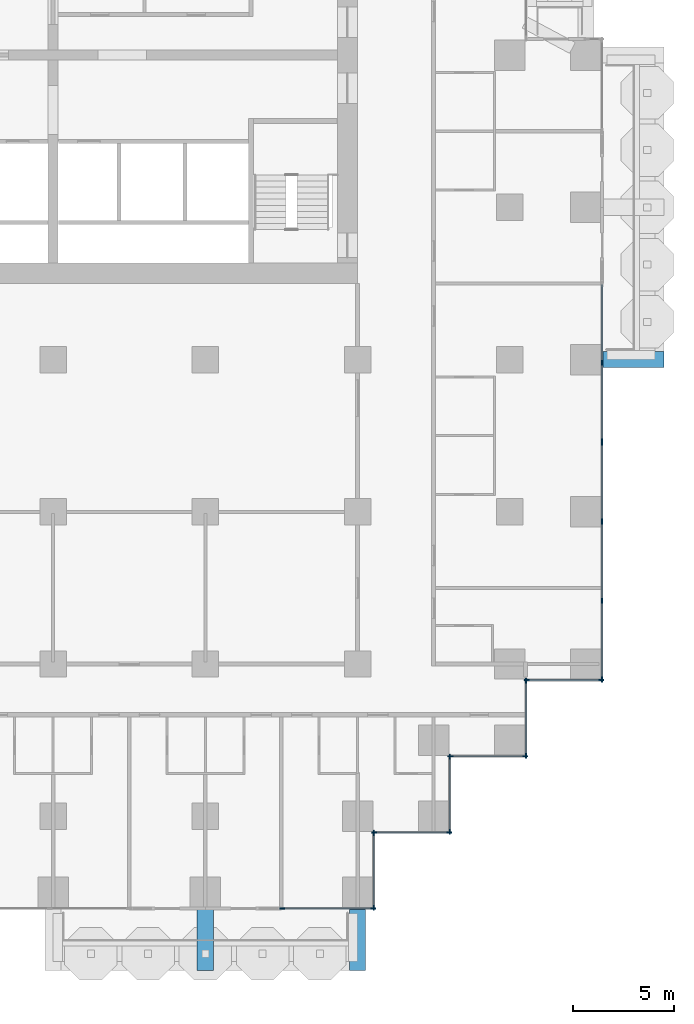
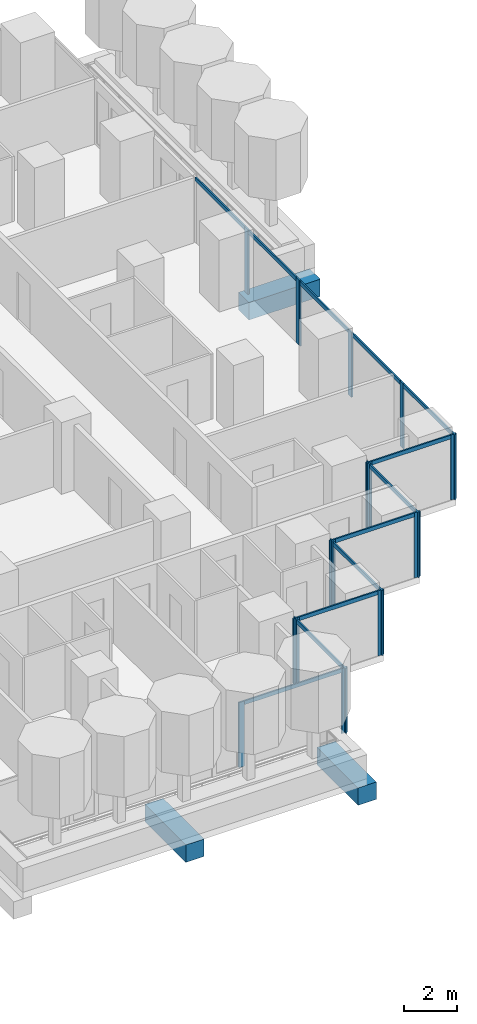
# One storey, part 4 of 19: 32 members, 3 beams, 9 elements without a shape of their own.
"""IFC4 building model written with IfcOpenShell, lengths in metres."""

import ifcopenshell
import ifcopenshell.guid

model = None  # the IFC model being written
_history = None  # IfcOwnerHistory: only IFC2X3 demands one
_inside = {}  # id of a spatial element -> (the spatial element, [elements in it])
_under = {}  # id of a project, library or spatial element -> (it, [spatial elements below it])
_declared = {}  # id of a project -> (the project, [libraries it declares])
_typed = {}  # id of a type object -> (the type object, [elements of that type])
_made_of = {}  # id of a material, layer set ... -> (it, [elements and type objects made of it])


def new_model(schema):
    """Start an empty IFC model of exactly this schema.

    Asked for "IFC4X3", IfcOpenShell would pick the latest addendum, in which some entities
    have other attributes; the version numbers below select the first issue.
    IFC2X3 requires an IfcOwnerHistory on every rooted entity: one is made here for all.
    """
    global model, _history
    if schema == "IFC4X3":
        model = ifcopenshell.file(schema_version=(4, 3, 0, 0))
    else:
        model = ifcopenshell.file(schema=schema)
    _inside.clear()
    _under.clear()
    _declared.clear()
    _typed.clear()
    _made_of.clear()
    _history = None
    if model.schema == "IFC2X3":
        org = make("IfcOrganization", Name="unknown")
        user = make(
            "IfcPersonAndOrganization",
            ThePerson=make("IfcPerson", FamilyName="unknown"),
            TheOrganization=org,
        )
        app = make(
            "IfcApplication",
            ApplicationDeveloper=org,
            Version="unknown",
            ApplicationFullName="unknown",
            ApplicationIdentifier="unknown",
        )
        _history = make(
            "IfcOwnerHistory",
            OwningUser=user,
            OwningApplication=app,
            ChangeAction="ADDED",
            CreationDate=0,
        )
    return model


def make(cls, **values):
    """One entity of the class cls with the attributes given. An attribute that is None is left unset."""
    return model.create_entity(
        cls, **{name: value for name, value in values.items() if value is not None}
    )


def rooted(cls, **values):
    """An entity with a GlobalId (a new one), such as an element, a storey or a relation."""
    return make(cls, GlobalId=ifcopenshell.guid.new(), OwnerHistory=_history, **values)


def si_unit(unit_type, name, prefix=None):
    """IfcSIUnit, for example si_unit("LENGTHUNIT", "METRE", prefix="MILLI")."""
    return make("IfcSIUnit", UnitType=unit_type, Prefix=prefix, Name=name)


def assignment(units):
    """IfcUnitAssignment: the units of a project."""
    return None if units is None else make("IfcUnitAssignment", Units=units)


def point(xyz):
    """IfcCartesianPoint."""
    return None if xyz is None else make("IfcCartesianPoint", Coordinates=xyz)


def direction(xyz):
    """IfcDirection."""
    return None if xyz is None else make("IfcDirection", DirectionRatios=xyz)


def frame(location, z_axis=None, x_axis=None):
    """IfcAxis2Placement3D, a coordinate frame: its origin and axes. An axis left out is left unset."""
    return make(
        "IfcAxis2Placement3D",
        Location=point(location),
        Axis=direction(z_axis),
        RefDirection=direction(x_axis),
    )


def frame_2d(location, x_axis=None):
    """IfcAxis2Placement2D, a coordinate frame in the plane: its origin and x axis."""
    return make(
        "IfcAxis2Placement2D", Location=point(location), RefDirection=direction(x_axis)
    )


def origin():
    """The frame at (0, 0, 0) with its axes left unset."""
    return frame((0.0, 0.0, 0.0))


def origin_2d():
    """The frame at (0, 0) in the plane with its x axis left unset."""
    return frame_2d((0.0, 0.0))


def place(relative_to, where):
    """IfcLocalPlacement: puts the frame where relative to a parent placement (None: the world)."""
    return make(
        "IfcLocalPlacement", PlacementRelTo=relative_to, RelativePlacement=where
    )


def context(
    kind, dimensions, precision=None, world=None, true_north=None, identifier=None
):
    """IfcGeometricRepresentationContext, for example the 3D "Model" context."""
    return make(
        "IfcGeometricRepresentationContext",
        ContextIdentifier=identifier,
        ContextType=kind,
        CoordinateSpaceDimension=dimensions,
        Precision=precision,
        WorldCoordinateSystem=world,
        TrueNorth=true_north,
    )


def subcontext(parent, identifier, kind, view, scale=None):
    """IfcGeometricRepresentationSubContext, for example "Body" below "Model"."""
    return make(
        "IfcGeometricRepresentationSubContext",
        ContextIdentifier=identifier,
        ContextType=kind,
        ParentContext=parent,
        TargetScale=scale,
        TargetView=view,
    )


def project(units=None, contexts=None):
    """IfcProject with its units and contexts."""
    return rooted(
        "IfcProject",
        Name="project",
        RepresentationContexts=contexts,
        UnitsInContext=assignment(units),
    )


def spatial(cls, under=None, at=None, **own):
    """A site, building, storey or space (cls), placed at a placement, below another one or the project."""
    s = rooted(cls, ObjectPlacement=at, **own)
    if under is not None:
        _under.setdefault(under.id(), (under, []))[1].append(s)
    return s


def profile(cls, at=None, kind="AREA", **sizes):
    """A parametric profile (cls). Its sizes go by their IFC names, for example OverallWidth=200.0."""
    return make(cls, ProfileType=kind, Position=at, **sizes)


def rectangle(**sizes):
    """IfcRectangleProfileDef."""
    return profile("IfcRectangleProfileDef", **sizes)


def extrude(swept, where, along, depth):
    """IfcExtrudedAreaSolid: the profile swept, set in the frame where, extruded along a direction by depth."""
    return make(
        "IfcExtrudedAreaSolid",
        SweptArea=swept,
        Position=where,
        ExtrudedDirection=direction(along),
        Depth=depth,
    )


def shape(context_of_items, identifier, shape_type, items):
    """IfcShapeRepresentation: the items that make up one representation, for example the "Body"."""
    return make(
        "IfcShapeRepresentation",
        ContextOfItems=context_of_items,
        RepresentationIdentifier=identifier,
        RepresentationType=shape_type,
        Items=items,
    )


def material(Name=None, Category=None):
    """IfcMaterial."""
    return make("IfcMaterial", Name=Name, Category=Category)


def material_profile(
    of_material, cross_section, Name=None, Category=None, Priority=None
):
    """IfcMaterialProfile: a cross section and its material."""
    return make(
        "IfcMaterialProfile",
        Name=Name,
        Material=of_material,
        Profile=cross_section,
        Priority=Priority,
        Category=Category,
    )


def profile_set(profiles, Name=None, composite=None):
    """IfcMaterialProfileSet."""
    return make(
        "IfcMaterialProfileSet",
        Name=Name,
        MaterialProfiles=profiles,
        CompositeProfile=composite,
    )


def made_of(thing, what):
    """Note that an element or type object is made of a material, layer set ...; save() writes the relation."""
    if what is not None:
        _made_of.setdefault(what.id(), (what, []))[1].append(thing)
    return thing


def type_object(cls, material=None, **own):
    """A type object (cls), such as IfcWallType, which elements share."""
    return made_of(rooted(cls, **own), material)


def element(
    cls,
    number,
    at=None,
    inside=None,
    cuts=None,
    type_object=None,
    material=None,
    context=None,
    identifier="Body",
    shape_type=None,
    held_by="IfcProductDefinitionShape",
    body=None,
    shapes=None,
    **own,
):
    """One element of the class cls, such as IfcWall. Its Tag is "e" and its number.

    at: its placement. inside: the storey or other place that contains it. cuts: it is an
    opening in that element (IfcRelVoidsElement). A single representation is given by context,
    identifier, shape_type and body (its items); several are given by shapes. held_by: the class
    of the entity that holds the representations. save() writes the other relations.
    """
    e = rooted(cls, Tag="e%d" % number, ObjectPlacement=at, **own)
    if body is not None:
        shapes = [shape(context, identifier, shape_type, body)]
    if shapes is not None:
        e.Representation = make(held_by, Representations=shapes)
    if inside is not None:
        _inside.setdefault(inside.id(), (inside, []))[1].append(e)
    if cuts is not None:
        rooted(
            "IfcRelVoidsElement", RelatingBuildingElement=cuts, RelatedOpeningElement=e
        )
    if type_object is not None:
        _typed.setdefault(type_object.id(), (type_object, []))[1].append(e)
    return made_of(e, material)


def aggregate(whole, parts):
    """IfcRelAggregates: a whole, such as a stair, and the parts it consists of."""
    return rooted("IfcRelAggregates", RelatingObject=whole, RelatedObjects=parts)


def save(model, path):
    """Write the relations noted so far, then the file.

    IfcRelAggregates (storeys below a building ...), IfcRelContainedInSpatialStructure (elements
    in a storey), IfcRelDefinesByType, IfcRelAssociatesMaterial and IfcRelDeclares: one each for
    every whole, place, type object, material and project.
    """
    for whole, parts in _under.values():
        aggregate(whole, parts)
    for where, things in _inside.values():
        rooted(
            "IfcRelContainedInSpatialStructure",
            RelatedElements=things,
            RelatingStructure=where,
        )
    for kind, things in _typed.values():
        rooted("IfcRelDefinesByType", RelatedObjects=things, RelatingType=kind)
    for what, things in _made_of.values():
        rooted("IfcRelAssociatesMaterial", RelatedObjects=things, RelatingMaterial=what)
    for by, libraries in _declared.values():
        rooted("IfcRelDeclares", RelatingContext=by, RelatedDefinitions=libraries)
    model.write(path)


model = new_model("IFC4")

# Units and contexts
model_context = context("Model", 3, precision=1e-05, world=origin(), true_north=direction((0.0, 1.0)))
body_context = subcontext(model_context, "Body", "Model", "MODEL_VIEW")
ifc_project = project(units=[si_unit("LENGTHUNIT", "METRE"), si_unit("AREAUNIT", "SQUARE_METRE"), si_unit("VOLUMEUNIT", "CUBIC_METRE"), si_unit("PLANEANGLEUNIT", "RADIAN"), si_unit("MASSUNIT", "GRAM", prefix="KILO")], contexts=[model_context])

# Site, building, storey
site_placement = place(None, origin())
site = spatial("IfcSite", under=ifc_project, at=site_placement, CompositionType="ELEMENT")
building_placement = place(site_placement, origin())
building = spatial("IfcBuilding", under=site, at=building_placement, Name="Pilkhan Gate Tower", CompositionType="ELEMENT")
storey_placement = place(building_placement, frame((0.0, 0.0, 65.89990234375)))
storey = spatial("IfcBuildingStorey", under=building, at=storey_placement, Name="L14", CompositionType="ELEMENT", Elevation=65.89990234375)

# Beams
ifc_material_1 = material(Name="Concrete C50/60", Category="concrete")
ifc_material_profile_1 = material_profile(ifc_material_1, rectangle(XDim=0.800048828125, YDim=0.800048828125, at=origin_2d()), Name="RC 800x800")
ifc_profile_set_1 = profile_set([ifc_material_profile_1], Name="Concrete C50/60")
beam_type = type_object("IfcBeamType", Name="Cantilever beam CB2 RC 800x800 C50/60", PredefinedType="BEAM", material=ifc_profile_set_1)
for number, where, z_axis, x_axis, name in (
    (1, (82.5, 40.5, -0.699951171875), (0.0, -1.0, 0.0), (1.0, 0.0, 0.0), "Balcony beam S.2 L14"),
    (2, (90.0, 40.5, -0.699951171875), (0.0, -1.0, 0.0), (1.0, 0.0, 0.0), "Balcony beam S.3 L14"),
    (3, (102.0, 67.5, -0.699951171875), (1.0, 0.0, 0.0), (0.0, 1.0, 0.0), "Balcony beam E.1 L14"),
):
    element("IfcBeam", number, at=place(storey_placement, frame(where, z_axis=z_axis, x_axis=x_axis)), inside=storey, type_object=beam_type, Name=name, PredefinedType="BEAM", context=body_context, shape_type="SweptSolid", body=[
        extrude(rectangle(XDim=0.800048828125, YDim=0.800048828125, at=origin_2d()), origin(), (0.0, 0.0, 1.0), 3.10009765625),
    ])

# Curtain wall, members
ifc_material_2 = material(Name="Pale anodised aluminium, clear low-iron double glazing", Category="aluminium")
curtain_wall_type = type_object("IfcCurtainWallType", Name="Hotel unitised curtain wall CW-H", PredefinedType="USERDEFINED", material=ifc_material_2)
curtain_wall_1_placement = place(storey_placement, origin())
curtain_wall_1 = element("IfcCurtainWall", 4, at=curtain_wall_1_placement, inside=storey, type_object=curtain_wall_type, Name="Hotel unitised curtain wall CW-H L14 E", ObjectType="UNITISED CURTAIN WALL", PredefinedType="USERDEFINED")
ifc_material_3 = material(Name="Pale anodised aluminium", Category="aluminium")
ifc_material_profile_2 = material_profile(ifc_material_3, rectangle(XDim=0.06494140625, YDim=0.25, at=origin_2d()), Name="Mullion 250x65")
ifc_profile_set_2 = profile_set([ifc_material_profile_2], Name="Pale anodised aluminium")
member_type_1 = type_object("IfcMemberType", Name="Mullion CW-H 250x65", PredefinedType="MULLION", material=ifc_profile_set_2)
member_1_placement = place(storey_placement, frame((102.044921875, 51.737548828125, 0.0), z_axis=(0.0, 0.0, 1.0), x_axis=(-1.0, 0.0, 0.0)))
member_1 = element("IfcMember", 5, at=member_1_placement, type_object=member_type_1, Name="CW-H mullion 1", PredefinedType="MULLION", context=body_context, shape_type="SweptSolid", body=[
    extrude(rectangle(XDim=0.06494140625, YDim=0.25, at=origin_2d()), origin(), (0.0, 0.0, 1.0), 3.0),
])
member_2_placement = place(storey_placement, frame((102.044921875, 55.614013671875, 0.0), z_axis=(0.0, 0.0, 1.0), x_axis=(-1.0, 0.0, 0.0)))
member_2 = element("IfcMember", 6, at=member_2_placement, type_object=member_type_1, Name="CW-H mullion 2", PredefinedType="MULLION", context=body_context, shape_type="SweptSolid", body=[
    extrude(rectangle(XDim=0.06494140625, YDim=0.25, at=origin_2d()), origin(), (0.0, 0.0, 1.0), 3.0),
])
member_3_placement = place(storey_placement, frame((102.044921875, 59.52294921875, 0.0), z_axis=(0.0, 0.0, 1.0), x_axis=(-1.0, 0.0, 0.0)))
member_3 = element("IfcMember", 7, at=member_3_placement, type_object=member_type_1, Name="CW-H mullion 3", PredefinedType="MULLION", context=body_context, shape_type="SweptSolid", body=[
    extrude(rectangle(XDim=0.06494140625, YDim=0.25, at=origin_2d()), origin(), (0.0, 0.0, 1.0), 3.0),
])
member_4_placement = place(storey_placement, frame((102.044921875, 63.3994140625, 0.0), z_axis=(0.0, 0.0, 1.0), x_axis=(-1.0, 0.0, 0.0)))
member_4 = element("IfcMember", 8, at=member_4_placement, type_object=member_type_1, Name="CW-H mullion 4", PredefinedType="MULLION", context=body_context, shape_type="SweptSolid", body=[
    extrude(rectangle(XDim=0.06494140625, YDim=0.25, at=origin_2d()), origin(), (0.0, 0.0, 1.0), 3.0),
])

curtain_wall_2_placement = place(storey_placement, origin())
curtain_wall_2 = element("IfcCurtainWall", 9, at=curtain_wall_2_placement, inside=storey, type_object=curtain_wall_type, Name="Hotel unitised curtain wall CW-H L14 E", ObjectType="UNITISED CURTAIN WALL", PredefinedType="USERDEFINED")
member_5_placement = place(storey_placement, frame((102.044921875, 63.464599609375, 0.0), z_axis=(0.0, 0.0, 1.0), x_axis=(-1.0, 0.0, 0.0)))
member_5 = element("IfcMember", 10, at=member_5_placement, type_object=member_type_1, Name="CW-H mullion 1", PredefinedType="MULLION", context=body_context, shape_type="SweptSolid", body=[
    extrude(rectangle(XDim=0.06494140625, YDim=0.25, at=origin_2d()), origin(), (0.0, 0.0, 1.0), 3.0),
])
member_6_placement = place(storey_placement, frame((102.044921875, 67.341064453125, 0.0), z_axis=(0.0, 0.0, 1.0), x_axis=(-1.0, 0.0, 0.0)))
member_6 = element("IfcMember", 11, at=member_6_placement, type_object=member_type_1, Name="CW-H mullion 2", PredefinedType="MULLION", context=body_context, shape_type="SweptSolid", body=[
    extrude(rectangle(XDim=0.06494140625, YDim=0.25, at=origin_2d()), origin(), (0.0, 0.0, 1.0), 3.0),
])

curtain_wall_3_placement = place(storey_placement, origin())
curtain_wall_3 = element("IfcCurtainWall", 12, at=curtain_wall_3_placement, inside=storey, type_object=curtain_wall_type, Name="Hotel unitised curtain wall CW-H L14 S", ObjectType="UNITISED CURTAIN WALL", PredefinedType="USERDEFINED")
member_7_placement = place(storey_placement, frame((86.282470703125, 40.455078125, 0.0), z_axis=(0.0, 0.0, 1.0), x_axis=(0.0, 1.0, 0.0)))
member_7 = element("IfcMember", 13, at=member_7_placement, type_object=member_type_1, Name="CW-H mullion 1", PredefinedType="MULLION", context=body_context, shape_type="SweptSolid", body=[
    extrude(rectangle(XDim=0.06494140625, YDim=0.25, at=origin_2d()), origin(), (0.0, 0.0, 1.0), 3.0),
])
member_8_placement = place(storey_placement, frame((90.762451171875, 40.455078125, 0.0), z_axis=(0.0, 0.0, 1.0), x_axis=(0.0, 1.0, 0.0)))
member_8 = element("IfcMember", 14, at=member_8_placement, type_object=member_type_1, Name="CW-H mullion 2", PredefinedType="MULLION", context=body_context, shape_type="SweptSolid", body=[
    extrude(rectangle(XDim=0.06494140625, YDim=0.25, at=origin_2d()), origin(), (0.0, 0.0, 1.0), 3.0),
])

curtain_wall_4_placement = place(storey_placement, origin())
curtain_wall_4 = element("IfcCurtainWall", 15, at=curtain_wall_4_placement, inside=storey, type_object=curtain_wall_type, Name="Hotel unitised curtain wall CW-H L14 E", ObjectType="UNITISED CURTAIN WALL", PredefinedType="USERDEFINED")
member_9_placement = place(storey_placement, frame((90.794921875, 40.487548828125, 0.0), z_axis=(0.0, 0.0, 1.0), x_axis=(-1.0, 0.0, 0.0)))
member_9 = element("IfcMember", 16, at=member_9_placement, type_object=member_type_1, Name="CW-H mullion 1", PredefinedType="MULLION", context=body_context, shape_type="SweptSolid", body=[
    extrude(rectangle(XDim=0.06494140625, YDim=0.25, at=origin_2d()), origin(), (0.0, 0.0, 1.0), 3.0),
])
member_10_placement = place(storey_placement, frame((90.794921875, 44.172607421875, 0.0), z_axis=(0.0, 0.0, 1.0), x_axis=(-1.0, 0.0, 0.0)))
member_10 = element("IfcMember", 17, at=member_10_placement, type_object=member_type_1, Name="CW-H mullion 2", PredefinedType="MULLION", context=body_context, shape_type="SweptSolid", body=[
    extrude(rectangle(XDim=0.06494140625, YDim=0.25, at=origin_2d()), origin(), (0.0, 0.0, 1.0), 3.0),
])

curtain_wall_5_placement = place(storey_placement, origin())
curtain_wall_5 = element("IfcCurtainWall", 18, at=curtain_wall_5_placement, inside=storey, type_object=curtain_wall_type, Name="Hotel unitised curtain wall CW-H L14 S", ObjectType="UNITISED CURTAIN WALL", PredefinedType="USERDEFINED")
member_11_placement = place(storey_placement, frame((90.827392578125, 44.205078125, 0.0), z_axis=(0.0, 0.0, 1.0), x_axis=(0.0, 1.0, 0.0)))
member_11 = element("IfcMember", 19, at=member_11_placement, type_object=member_type_1, Name="CW-H mullion 1", PredefinedType="MULLION", context=body_context, shape_type="SweptSolid", body=[
    extrude(rectangle(XDim=0.06494140625, YDim=0.25, at=origin_2d()), origin(), (0.0, 0.0, 1.0), 3.0),
])
member_12_placement = place(storey_placement, frame((94.512451171875, 44.205078125, 0.0), z_axis=(0.0, 0.0, 1.0), x_axis=(0.0, 1.0, 0.0)))
member_12 = element("IfcMember", 20, at=member_12_placement, type_object=member_type_1, Name="CW-H mullion 2", PredefinedType="MULLION", context=body_context, shape_type="SweptSolid", body=[
    extrude(rectangle(XDim=0.06494140625, YDim=0.25, at=origin_2d()), origin(), (0.0, 0.0, 1.0), 3.0),
])

curtain_wall_6_placement = place(storey_placement, origin())
curtain_wall_6 = element("IfcCurtainWall", 21, at=curtain_wall_6_placement, inside=storey, type_object=curtain_wall_type, Name="Hotel unitised curtain wall CW-H L14 E", ObjectType="UNITISED CURTAIN WALL", PredefinedType="USERDEFINED")
member_13_placement = place(storey_placement, frame((94.544921875, 44.237548828125, 0.0), z_axis=(0.0, 0.0, 1.0), x_axis=(-1.0, 0.0, 0.0)))
member_13 = element("IfcMember", 22, at=member_13_placement, type_object=member_type_1, Name="CW-H mullion 1", PredefinedType="MULLION", context=body_context, shape_type="SweptSolid", body=[
    extrude(rectangle(XDim=0.06494140625, YDim=0.25, at=origin_2d()), origin(), (0.0, 0.0, 1.0), 3.0),
])
member_14_placement = place(storey_placement, frame((94.544921875, 47.922607421875, 0.0), z_axis=(0.0, 0.0, 1.0), x_axis=(-1.0, 0.0, 0.0)))
member_14 = element("IfcMember", 23, at=member_14_placement, type_object=member_type_1, Name="CW-H mullion 2", PredefinedType="MULLION", context=body_context, shape_type="SweptSolid", body=[
    extrude(rectangle(XDim=0.06494140625, YDim=0.25, at=origin_2d()), origin(), (0.0, 0.0, 1.0), 3.0),
])

curtain_wall_7_placement = place(storey_placement, origin())
curtain_wall_7 = element("IfcCurtainWall", 24, at=curtain_wall_7_placement, inside=storey, type_object=curtain_wall_type, Name="Hotel unitised curtain wall CW-H L14 S", ObjectType="UNITISED CURTAIN WALL", PredefinedType="USERDEFINED")
member_15_placement = place(storey_placement, frame((94.577392578125, 47.955078125, 0.0), z_axis=(0.0, 0.0, 1.0), x_axis=(0.0, 1.0, 0.0)))
member_15 = element("IfcMember", 25, at=member_15_placement, type_object=member_type_1, Name="CW-H mullion 1", PredefinedType="MULLION", context=body_context, shape_type="SweptSolid", body=[
    extrude(rectangle(XDim=0.06494140625, YDim=0.25, at=origin_2d()), origin(), (0.0, 0.0, 1.0), 3.0),
])
member_16_placement = place(storey_placement, frame((98.262451171875, 47.955078125, 0.0), z_axis=(0.0, 0.0, 1.0), x_axis=(0.0, 1.0, 0.0)))
member_16 = element("IfcMember", 26, at=member_16_placement, type_object=member_type_1, Name="CW-H mullion 2", PredefinedType="MULLION", context=body_context, shape_type="SweptSolid", body=[
    extrude(rectangle(XDim=0.06494140625, YDim=0.25, at=origin_2d()), origin(), (0.0, 0.0, 1.0), 3.0),
])

curtain_wall_8_placement = place(storey_placement, origin())
curtain_wall_8 = element("IfcCurtainWall", 27, at=curtain_wall_8_placement, inside=storey, type_object=curtain_wall_type, Name="Hotel unitised curtain wall CW-H L14 E", ObjectType="UNITISED CURTAIN WALL", PredefinedType="USERDEFINED")
member_17_placement = place(storey_placement, frame((98.294921875, 47.987548828125, 0.0), z_axis=(0.0, 0.0, 1.0), x_axis=(-1.0, 0.0, 0.0)))
member_17 = element("IfcMember", 28, at=member_17_placement, type_object=member_type_1, Name="CW-H mullion 1", PredefinedType="MULLION", context=body_context, shape_type="SweptSolid", body=[
    extrude(rectangle(XDim=0.06494140625, YDim=0.25, at=origin_2d()), origin(), (0.0, 0.0, 1.0), 3.0),
])
member_18_placement = place(storey_placement, frame((98.294921875, 51.672607421875, 0.0), z_axis=(0.0, 0.0, 1.0), x_axis=(-1.0, 0.0, 0.0)))
member_18 = element("IfcMember", 29, at=member_18_placement, type_object=member_type_1, Name="CW-H mullion 2", PredefinedType="MULLION", context=body_context, shape_type="SweptSolid", body=[
    extrude(rectangle(XDim=0.06494140625, YDim=0.25, at=origin_2d()), origin(), (0.0, 0.0, 1.0), 3.0),
])

curtain_wall_9_placement = place(storey_placement, origin())
curtain_wall_9 = element("IfcCurtainWall", 30, at=curtain_wall_9_placement, inside=storey, type_object=curtain_wall_type, Name="Hotel unitised curtain wall CW-H L14 S", ObjectType="UNITISED CURTAIN WALL", PredefinedType="USERDEFINED")
member_19_placement = place(storey_placement, frame((98.327392578125, 51.705078125, 0.0), z_axis=(0.0, 0.0, 1.0), x_axis=(0.0, 1.0, 0.0)))
member_19 = element("IfcMember", 31, at=member_19_placement, type_object=member_type_1, Name="CW-H mullion 1", PredefinedType="MULLION", context=body_context, shape_type="SweptSolid", body=[
    extrude(rectangle(XDim=0.06494140625, YDim=0.25, at=origin_2d()), origin(), (0.0, 0.0, 1.0), 3.0),
])
member_20_placement = place(storey_placement, frame((102.012451171875, 51.705078125, 0.0), z_axis=(0.0, 0.0, 1.0), x_axis=(0.0, 1.0, 0.0)))
member_20 = element("IfcMember", 32, at=member_20_placement, type_object=member_type_1, Name="CW-H mullion 2", PredefinedType="MULLION", context=body_context, shape_type="SweptSolid", body=[
    extrude(rectangle(XDim=0.06494140625, YDim=0.25, at=origin_2d()), origin(), (0.0, 0.0, 1.0), 3.0),
])

# Member
ifc_material_profile_3 = material_profile(ifc_material_3, rectangle(XDim=0.06494140625, YDim=0.179931640625, at=origin_2d()), Name="Transom 180x65")
ifc_profile_set_3 = profile_set([ifc_material_profile_3], Name="Pale anodised aluminium")
member_type_2 = type_object("IfcMemberType", Name="Transom CW-H 180x65", PredefinedType="USERDEFINED", material=ifc_profile_set_3)
member_21_placement = place(storey_placement, frame((102.044921875, 51.77001953125, 2.91015625), z_axis=(0.0, 1.0, 0.0), x_axis=(-1.0, 0.0, 0.0)))
member_21 = element("IfcMember", 33, at=member_21_placement, type_object=member_type_2, Name="CW-H transom 1", ObjectType="TRANSOM", PredefinedType="USERDEFINED", context=body_context, shape_type="SweptSolid", body=[
    extrude(rectangle(XDim=0.06494140625, YDim=0.179931640625, at=origin_2d()), origin(), (0.0, 0.0, 1.0), 3.8115234375),
])

member_22_placement = place(storey_placement, frame((102.044921875, 55.646484375, 2.91015625), z_axis=(0.0, 1.0, 0.0), x_axis=(-1.0, 0.0, 0.0)))
member_22 = element("IfcMember", 34, at=member_22_placement, type_object=member_type_2, Name="CW-H transom 2", ObjectType="TRANSOM", PredefinedType="USERDEFINED", context=body_context, shape_type="SweptSolid", body=[
    extrude(rectangle(XDim=0.06494140625, YDim=0.179931640625, at=origin_2d()), origin(), (0.0, 0.0, 1.0), 3.843994140625),
])

member_23_placement = place(storey_placement, frame((102.044921875, 59.555419921875, 2.91015625), z_axis=(0.0, 1.0, 0.0), x_axis=(-1.0, 0.0, 0.0)))
member_23 = element("IfcMember", 35, at=member_23_placement, type_object=member_type_2, Name="CW-H transom 3", ObjectType="TRANSOM", PredefinedType="USERDEFINED", context=body_context, shape_type="SweptSolid", body=[
    extrude(rectangle(XDim=0.06494140625, YDim=0.179931640625, at=origin_2d()), origin(), (0.0, 0.0, 1.0), 3.8115234375),
])

aggregate(curtain_wall_1, [member_1, member_2, member_3, member_4, member_21, member_22, member_23])

member_24_placement = place(storey_placement, frame((102.044921875, 63.4970703125, 2.91015625), z_axis=(0.0, 1.0, 0.0), x_axis=(-1.0, 0.0, 0.0)))
member_24 = element("IfcMember", 36, at=member_24_placement, type_object=member_type_2, Name="CW-H transom 1", ObjectType="TRANSOM", PredefinedType="USERDEFINED", context=body_context, shape_type="SweptSolid", body=[
    extrude(rectangle(XDim=0.06494140625, YDim=0.179931640625, at=origin_2d()), origin(), (0.0, 0.0, 1.0), 3.8115234375),
])

member_25_placement = place(storey_placement, frame((102.044921875, 67.37353515625, 2.91015625), z_axis=(0.0, 1.0, 0.0), x_axis=(-1.0, 0.0, 0.0)))
member_25 = element("IfcMember", 37, at=member_25_placement, type_object=member_type_2, Name="CW-H transom 2", ObjectType="TRANSOM", PredefinedType="USERDEFINED", context=body_context, shape_type="SweptSolid", body=[
    extrude(rectangle(XDim=0.06494140625, YDim=0.179931640625, at=origin_2d()), origin(), (0.0, 0.0, 1.0), 3.8115234375),
])

aggregate(curtain_wall_2, [member_5, member_6, member_24, member_25])

member_26_placement = place(storey_placement, frame((86.31494140625, 40.455078125, 2.91015625), z_axis=(1.0, 0.0, 0.0), x_axis=(0.0, 1.0, 0.0)))
member_26 = element("IfcMember", 38, at=member_26_placement, type_object=member_type_2, Name="CW-H transom 1", ObjectType="TRANSOM", PredefinedType="USERDEFINED", context=body_context, shape_type="SweptSolid", body=[
    extrude(rectangle(XDim=0.06494140625, YDim=0.179931640625, at=origin_2d()), origin(), (0.0, 0.0, 1.0), 4.4150390625),
])

aggregate(curtain_wall_3, [member_7, member_8, member_26])

member_27_placement = place(storey_placement, frame((90.794921875, 40.52001953125, 2.91015625), z_axis=(0.0, 1.0, 0.0), x_axis=(-1.0, 0.0, 0.0)))
member_27 = element("IfcMember", 39, at=member_27_placement, type_object=member_type_2, Name="CW-H transom 1", ObjectType="TRANSOM", PredefinedType="USERDEFINED", context=body_context, shape_type="SweptSolid", body=[
    extrude(rectangle(XDim=0.06494140625, YDim=0.179931640625, at=origin_2d()), origin(), (0.0, 0.0, 1.0), 3.619873046875),
])

aggregate(curtain_wall_4, [member_9, member_10, member_27])

member_28_placement = place(storey_placement, frame((90.860107421875, 44.205078125, 2.91015625), z_axis=(1.0, 0.0, 0.0), x_axis=(0.0, 1.0, 0.0)))
member_28 = element("IfcMember", 40, at=member_28_placement, type_object=member_type_2, Name="CW-H transom 1", ObjectType="TRANSOM", PredefinedType="USERDEFINED", context=body_context, shape_type="SweptSolid", body=[
    extrude(rectangle(XDim=0.06494140625, YDim=0.179931640625, at=origin_2d()), origin(), (0.0, 0.0, 1.0), 3.619873046875),
])

aggregate(curtain_wall_5, [member_11, member_12, member_28])

member_29_placement = place(storey_placement, frame((94.544921875, 44.27001953125, 2.91015625), z_axis=(0.0, 1.0, 0.0), x_axis=(-1.0, 0.0, 0.0)))
member_29 = element("IfcMember", 41, at=member_29_placement, type_object=member_type_2, Name="CW-H transom 1", ObjectType="TRANSOM", PredefinedType="USERDEFINED", context=body_context, shape_type="SweptSolid", body=[
    extrude(rectangle(XDim=0.06494140625, YDim=0.179931640625, at=origin_2d()), origin(), (0.0, 0.0, 1.0), 3.619873046875),
])

aggregate(curtain_wall_6, [member_13, member_14, member_29])

member_30_placement = place(storey_placement, frame((94.610107421875, 47.955078125, 2.91015625), z_axis=(1.0, 0.0, 0.0), x_axis=(0.0, 1.0, 0.0)))
member_30 = element("IfcMember", 42, at=member_30_placement, type_object=member_type_2, Name="CW-H transom 1", ObjectType="TRANSOM", PredefinedType="USERDEFINED", context=body_context, shape_type="SweptSolid", body=[
    extrude(rectangle(XDim=0.06494140625, YDim=0.179931640625, at=origin_2d()), origin(), (0.0, 0.0, 1.0), 3.619873046875),
])

aggregate(curtain_wall_7, [member_15, member_16, member_30])

member_31_placement = place(storey_placement, frame((98.294921875, 48.02001953125, 2.91015625), z_axis=(0.0, 1.0, 0.0), x_axis=(-1.0, 0.0, 0.0)))
member_31 = element("IfcMember", 43, at=member_31_placement, type_object=member_type_2, Name="CW-H transom 1", ObjectType="TRANSOM", PredefinedType="USERDEFINED", context=body_context, shape_type="SweptSolid", body=[
    extrude(rectangle(XDim=0.06494140625, YDim=0.179931640625, at=origin_2d()), origin(), (0.0, 0.0, 1.0), 3.619873046875),
])

aggregate(curtain_wall_8, [member_17, member_18, member_31])

member_32_placement = place(storey_placement, frame((98.360107421875, 51.705078125, 2.91015625), z_axis=(1.0, 0.0, 0.0), x_axis=(0.0, 1.0, 0.0)))
member_32 = element("IfcMember", 44, at=member_32_placement, type_object=member_type_2, Name="CW-H transom 1", ObjectType="TRANSOM", PredefinedType="USERDEFINED", context=body_context, shape_type="SweptSolid", body=[
    extrude(rectangle(XDim=0.06494140625, YDim=0.179931640625, at=origin_2d()), origin(), (0.0, 0.0, 1.0), 3.619873046875),
])

aggregate(curtain_wall_9, [member_19, member_20, member_32])

save(model, "model.ifc")
